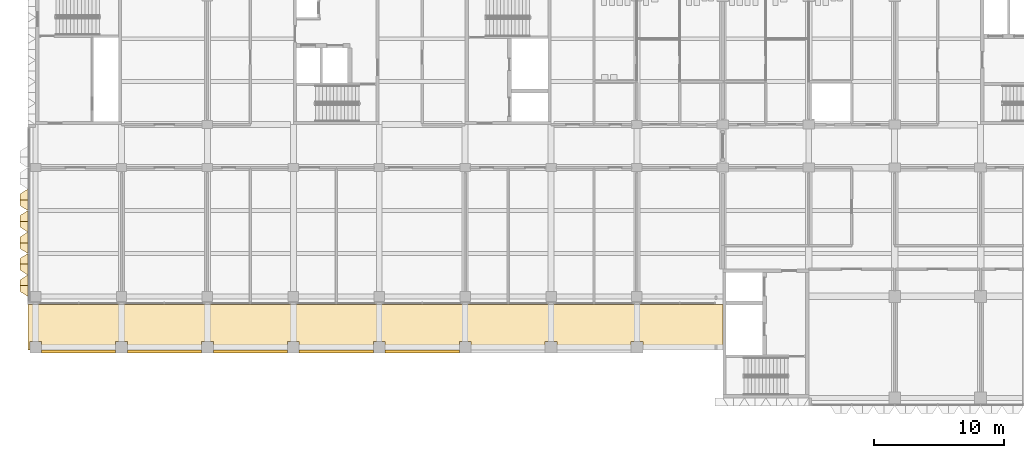
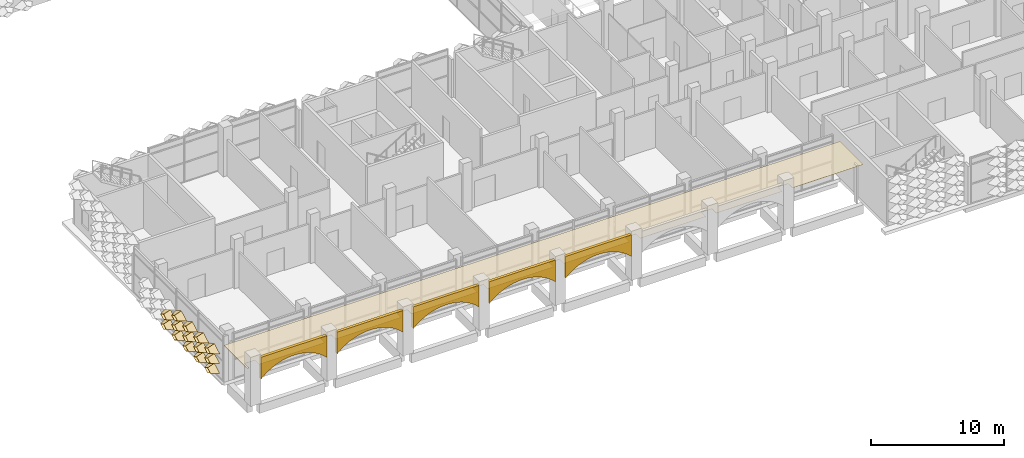
# One storey, part 42 of 87: 20 coverings.
"""IFC4 building model written with IfcOpenShell, lengths in metres."""

from ifc_helpers import new_model, entity, si_unit, direction, frame, origin, place, context, subcontext, project, spatial, polyline, outline, extrude, material, layer, layer_set, type_object, element, save


model = new_model("IFC4")

# Units and contexts
model_context = context("Model", 3, precision=1e-05, world=origin(), true_north=direction((0.0, 1.0)))
body_context = subcontext(model_context, "Body", "Model", "MODEL_VIEW")
ifc_project = project(units=[si_unit("LENGTHUNIT", "METRE"), si_unit("AREAUNIT", "SQUARE_METRE"), si_unit("VOLUMEUNIT", "CUBIC_METRE"), si_unit("PLANEANGLEUNIT", "RADIAN"), si_unit("MASSUNIT", "GRAM", prefix="KILO")], contexts=[model_context])

# Site, building, storey
site_placement = place(None, origin())
site = spatial("IfcSite", under=ifc_project, at=site_placement, CompositionType="ELEMENT")
building_placement = place(site_placement, origin())
building = spatial("IfcBuilding", under=site, at=building_placement, Name="Lantern Court Research Institute", CompositionType="ELEMENT")
storey_placement = place(building_placement, frame((0.0, 0.0, 5.39990234375)))
storey = spatial("IfcBuildingStorey", under=building, at=storey_placement, Name="L01", CompositionType="ELEMENT", Elevation=5.39990234375)

# Coverings
ifc_material_1 = material(Name="Anodised aluminium", Category="aluminium")
ifc_layer_1 = layer(ifc_material_1, 0.02001953125)
ifc_layer_set_1 = layer_set([ifc_layer_1], Name="Anodised aluminium")
covering_type_1 = type_object("IfcCoveringType", Name="Arcade ceiling lining 20 aluminium", PredefinedType="CLADDING", material=ifc_layer_set_1)
covering_1_placement = place(storey_placement, frame((0.0, 0.0, 3.380126953125)))
element("IfcCovering", 1, at=covering_1_placement, inside=storey, type_object=covering_type_1, Name="Arcade ceiling lining 1", PredefinedType="CLADDING", context=body_context, shape_type="SweptSolid", body=[
    extrude(outline(polyline([(25.949951171875, -4.10009765625), (25.949951171875, -3.449951171875), (26.85009765625, -3.449951171875), (26.85009765625, -4.10009765625), (32.550048828125, -4.10009765625), (32.550048828125, -3.449951171875), (33.449951171875, -3.449951171875), (33.449951171875, -4.10009765625), (39.14990234375, -4.10009765625), (39.14990234375, -3.449951171875), (40.050048828125, -3.449951171875), (40.050048828125, -4.10009765625), (45.75, -4.10009765625), (45.75, -3.449951171875), (46.64990234375, -3.449951171875), (46.64990234375, -4.10009765625), (52.800048828125, -4.10009765625), (52.800048828125, -0.60009765625), (-0.60009765625, -0.60009765625), (-0.60009765625, -4.10009765625), (-0.449951171875, -4.10009765625), (-0.449951171875, -3.449951171875), (0.449951171875, -3.449951171875), (0.449951171875, -4.10009765625), (6.14990234375, -4.10009765625), (6.14990234375, -3.449951171875), (7.050048828125, -3.449951171875), (7.050048828125, -4.10009765625), (12.75, -4.10009765625), (12.75, -3.449951171875), (13.64990234375, -3.449951171875), (13.64990234375, -4.10009765625), (19.35009765625, -4.10009765625), (19.35009765625, -3.449951171875), (20.25, -3.449951171875), (20.25, -4.10009765625), (25.949951171875, -4.10009765625)])), origin(), (0.0, 0.0, 1.0), 0.02001953125),
])
ifc_material_2 = material(Name="Glass fibre reinforced concrete cladding", Category="concrete")
ifc_layer_2 = layer(ifc_material_2, 0.25)
ifc_layer_set_2 = layer_set([ifc_layer_2], Name="Glass fibre reinforced concrete cladding")
covering_type_2 = type_object("IfcCoveringType", Name="Arcade frieze panel 250 glass fibre reinforced concrete", PredefinedType="CLADDING", material=ifc_layer_set_2)
covering_2_placement = place(storey_placement, frame((0.0, -4.10009765625, -5.39990234375), z_axis=(0.0, -1.0, 0.0), x_axis=(1.0, 0.0, 0.0)))
element("IfcCovering", 2, at=covering_2_placement, inside=storey, type_object=covering_type_2, Name="Arcade arched frieze panel 8", PredefinedType="CLADDING", context=body_context, shape_type="SweptSolid", body=[
    extrude(outline(polyline([(0.449951171875, 9.60009765625), (0.449951171875, 7.60009765625), (0.6875, 7.823974609375), (0.925048828125, 8.014892578125), (1.16259765625, 8.17822265625), (1.39990234375, 8.31787109375), (1.637451171875, 8.4365234375), (1.875, 8.536376953125), (2.112548828125, 8.618896484375), (2.35009765625, 8.68505859375), (2.58740234375, 8.73583984375), (2.824951171875, 8.771484375), (3.0625, 8.79296875), (3.300048828125, 8.800048828125), (3.53759765625, 8.79296875), (3.77490234375, 8.771484375), (4.012451171875, 8.73583984375), (4.25, 8.68505859375), (4.487548828125, 8.618896484375), (4.72509765625, 8.536376953125), (4.96240234375, 8.4365234375), (5.199951171875, 8.31787109375), (5.4375, 8.17822265625), (5.675048828125, 8.014892578125), (5.91259765625, 7.823974609375), (6.14990234375, 7.60009765625), (6.14990234375, 9.60009765625), (0.449951171875, 9.60009765625)])), origin(), (0.0, 0.0, 1.0), 0.25),
])
covering_3_placement = place(storey_placement, frame((0.0, -4.10009765625, -5.39990234375), z_axis=(0.0, -1.0, 0.0), x_axis=(1.0, 0.0, 0.0)))
element("IfcCovering", 3, at=covering_3_placement, inside=storey, type_object=covering_type_2, Name="Arcade arched frieze panel 9", PredefinedType="CLADDING", context=body_context, shape_type="SweptSolid", body=[
    extrude(outline(polyline([(7.050048828125, 9.60009765625), (7.050048828125, 7.60009765625), (7.28759765625, 7.823974609375), (7.52490234375, 8.014892578125), (7.762451171875, 8.17822265625), (8.0, 8.31787109375), (8.237548828125, 8.4365234375), (8.47509765625, 8.536376953125), (8.71240234375, 8.618896484375), (8.949951171875, 8.68505859375), (9.1875, 8.73583984375), (9.425048828125, 8.771484375), (9.66259765625, 8.79296875), (9.89990234375, 8.800048828125), (10.137451171875, 8.79296875), (10.375, 8.771484375), (10.612548828125, 8.73583984375), (10.85009765625, 8.68505859375), (11.08740234375, 8.618896484375), (11.324951171875, 8.536376953125), (11.5625, 8.4365234375), (11.800048828125, 8.31787109375), (12.03759765625, 8.17822265625), (12.27490234375, 8.014892578125), (12.512451171875, 7.823974609375), (12.75, 7.60009765625), (12.75, 9.60009765625), (7.050048828125, 9.60009765625)])), origin(), (0.0, 0.0, 1.0), 0.25),
])
covering_4_placement = place(storey_placement, frame((0.0, -4.10009765625, -5.39990234375), z_axis=(0.0, -1.0, 0.0), x_axis=(1.0, 0.0, 0.0)))
element("IfcCovering", 4, at=covering_4_placement, inside=storey, type_object=covering_type_2, Name="Arcade arched frieze panel 10", PredefinedType="CLADDING", context=body_context, shape_type="SweptSolid", body=[
    extrude(outline(polyline([(13.64990234375, 9.60009765625), (13.64990234375, 7.60009765625), (13.887451171875, 7.823974609375), (14.125, 8.014892578125), (14.362548828125, 8.17822265625), (14.60009765625, 8.31787109375), (14.83740234375, 8.4365234375), (15.074951171875, 8.536376953125), (15.3125, 8.618896484375), (15.550048828125, 8.68505859375), (15.78759765625, 8.73583984375), (16.02490234375, 8.771484375), (16.262451171875, 8.79296875), (16.5, 8.800048828125), (16.737548828125, 8.79296875), (16.97509765625, 8.771484375), (17.21240234375, 8.73583984375), (17.449951171875, 8.68505859375), (17.6875, 8.618896484375), (17.925048828125, 8.536376953125), (18.16259765625, 8.4365234375), (18.39990234375, 8.31787109375), (18.637451171875, 8.17822265625), (18.875, 8.014892578125), (19.112548828125, 7.823974609375), (19.35009765625, 7.60009765625), (19.35009765625, 9.60009765625), (13.64990234375, 9.60009765625)])), origin(), (0.0, 0.0, 1.0), 0.25),
])
covering_5_placement = place(storey_placement, frame((0.0, -4.10009765625, -5.39990234375), z_axis=(0.0, -1.0, 0.0), x_axis=(1.0, 0.0, 0.0)))
element("IfcCovering", 5, at=covering_5_placement, inside=storey, type_object=covering_type_2, Name="Arcade arched frieze panel 11", PredefinedType="CLADDING", context=body_context, shape_type="SweptSolid", body=[
    extrude(outline(polyline([(20.25, 9.60009765625), (20.25, 7.60009765625), (20.487548828125, 7.823974609375), (20.72509765625, 8.014892578125), (20.96240234375, 8.17822265625), (21.199951171875, 8.31787109375), (21.4375, 8.4365234375), (21.675048828125, 8.536376953125), (21.91259765625, 8.618896484375), (22.14990234375, 8.68505859375), (22.387451171875, 8.73583984375), (22.625, 8.771484375), (22.862548828125, 8.79296875), (23.10009765625, 8.800048828125), (23.33740234375, 8.79296875), (23.574951171875, 8.771484375), (23.8125, 8.73583984375), (24.050048828125, 8.68505859375), (24.28759765625, 8.618896484375), (24.52490234375, 8.536376953125), (24.762451171875, 8.4365234375), (25.0, 8.31787109375), (25.237548828125, 8.17822265625), (25.47509765625, 8.014892578125), (25.71240234375, 7.823974609375), (25.949951171875, 7.60009765625), (25.949951171875, 9.60009765625), (20.25, 9.60009765625)])), origin(), (0.0, 0.0, 1.0), 0.25),
])
covering_6_placement = place(storey_placement, frame((0.0, -4.10009765625, -5.39990234375), z_axis=(0.0, -1.0, 0.0), x_axis=(1.0, 0.0, 0.0)))
element("IfcCovering", 6, at=covering_6_placement, inside=storey, type_object=covering_type_2, Name="Arcade arched frieze panel 12", PredefinedType="CLADDING", context=body_context, shape_type="SweptSolid", body=[
    extrude(outline(polyline([(26.85009765625, 9.60009765625), (26.85009765625, 7.60009765625), (27.08740234375, 7.823974609375), (27.324951171875, 8.014892578125), (27.5625, 8.17822265625), (27.800048828125, 8.31787109375), (28.03759765625, 8.4365234375), (28.27490234375, 8.536376953125), (28.512451171875, 8.618896484375), (28.75, 8.68505859375), (28.987548828125, 8.73583984375), (29.22509765625, 8.771484375), (29.46240234375, 8.79296875), (29.699951171875, 8.800048828125), (29.9375, 8.79296875), (30.175048828125, 8.771484375), (30.41259765625, 8.73583984375), (30.64990234375, 8.68505859375), (30.887451171875, 8.618896484375), (31.125, 8.536376953125), (31.362548828125, 8.4365234375), (31.60009765625, 8.31787109375), (31.83740234375, 8.17822265625), (32.074951171875, 8.014892578125), (32.3125, 7.823974609375), (32.550048828125, 7.60009765625), (32.550048828125, 9.60009765625), (26.85009765625, 9.60009765625)])), origin(), (0.0, 0.0, 1.0), 0.25),
])
ifc_material_3 = material(Name="Anodised aluminium", Category="aluminium")
ifc_layer_3 = layer(ifc_material_3, 0.01611328125)
ifc_layer_set_3 = layer_set([ifc_layer_3], Name="Anodised aluminium")
covering_type_3 = type_object("IfcCoveringType", Name="Fin cassette 1650 x 900 x 600 aluminium", PredefinedType="CLADDING", material=ifc_layer_set_3)
covering_7_placement = place(storey_placement, frame((-0.60009765625, 0.824951171875, 0.4501953125), z_axis=(-1.0, 0.0, 0.0), x_axis=(0.0, -1.0, 0.0)))
cartesian_point_1 = entity("IfcCartesianPoint", [0.824951171875, 0.0])
cartesian_point_2 = entity("IfcCartesianPoint", [0.79150390625, 0.0])
cartesian_point_3 = entity("IfcCartesianPoint", [0.44189453125, 0.0])
cartesian_point_4 = entity("IfcCartesianPoint", [0.43359375, 0.0])
element("IfcCovering", 7, at=covering_7_placement, inside=storey, type_object=covering_type_3, Name="Fin cassette V4W-L01 1.1", PredefinedType="CLADDING", context=body_context, shape_type="SweptSolid", body=[
    entity("IfcExtrudedAreaSolidTapered", entity("IfcArbitraryProfileDefWithVoids", "AREA", None, entity("IfcPolyline", [cartesian_point_1, entity("IfcCartesianPoint", [0.0, 0.449951171875]), entity("IfcCartesianPoint", [-0.824951171875, 0.0]), entity("IfcCartesianPoint", [0.0, -0.449951171875]), cartesian_point_1]), [entity("IfcPolyline", [cartesian_point_2, entity("IfcCartesianPoint", [0.0, 0.431884765625]), entity("IfcCartesianPoint", [-0.79150390625, 0.0]), entity("IfcCartesianPoint", [0.0, -0.431884765625]), cartesian_point_2])]), entity("IfcAxis2Placement3D", entity("IfcCartesianPoint", [0.0, 0.0, 0.0])), entity("IfcDirection", [0.0, 0.0, 1.0]), 0.60009765625, entity("IfcArbitraryProfileDefWithVoids", "AREA", None, entity("IfcPolyline", [cartesian_point_3, entity("IfcCartesianPoint", [0.0, 0.240966796875]), entity("IfcCartesianPoint", [-0.44189453125, 0.0]), entity("IfcCartesianPoint", [0.0, -0.240966796875]), cartesian_point_3]), [entity("IfcPolyline", [cartesian_point_4, entity("IfcCartesianPoint", [0.0, 0.236572265625]), entity("IfcCartesianPoint", [-0.43359375, 0.0]), entity("IfcCartesianPoint", [0.0, -0.236572265625]), cartesian_point_4])])),
])
covering_8_placement = place(storey_placement, frame((-0.60009765625, 2.47509765625, 0.4501953125), z_axis=(-1.0, 0.0, 0.0), x_axis=(0.0, -1.0, 0.0)))
cartesian_point_5 = entity("IfcCartesianPoint", [0.824951171875, 0.0])
cartesian_point_6 = entity("IfcCartesianPoint", [0.79150390625, 0.0])
cartesian_point_7 = entity("IfcCartesianPoint", [0.44189453125, 0.0])
cartesian_point_8 = entity("IfcCartesianPoint", [0.43359375, 0.0])
element("IfcCovering", 8, at=covering_8_placement, inside=storey, type_object=covering_type_3, Name="Fin cassette V4W-L01 1.2", PredefinedType="CLADDING", context=body_context, shape_type="SweptSolid", body=[
    entity("IfcExtrudedAreaSolidTapered", entity("IfcArbitraryProfileDefWithVoids", "AREA", None, entity("IfcPolyline", [cartesian_point_5, entity("IfcCartesianPoint", [0.0, 0.449951171875]), entity("IfcCartesianPoint", [-0.824951171875, 0.0]), entity("IfcCartesianPoint", [0.0, -0.449951171875]), cartesian_point_5]), [entity("IfcPolyline", [cartesian_point_6, entity("IfcCartesianPoint", [0.0, 0.431884765625]), entity("IfcCartesianPoint", [-0.79150390625, 0.0]), entity("IfcCartesianPoint", [0.0, -0.431884765625]), cartesian_point_6])]), entity("IfcAxis2Placement3D", entity("IfcCartesianPoint", [0.0, 0.0, 0.0])), entity("IfcDirection", [0.0, 0.0, 1.0]), 0.60009765625, entity("IfcArbitraryProfileDefWithVoids", "AREA", None, entity("IfcPolyline", [cartesian_point_7, entity("IfcCartesianPoint", [0.0, 0.240966796875]), entity("IfcCartesianPoint", [-0.44189453125, 0.0]), entity("IfcCartesianPoint", [0.0, -0.240966796875]), cartesian_point_7]), [entity("IfcPolyline", [cartesian_point_8, entity("IfcCartesianPoint", [0.0, 0.236572265625]), entity("IfcCartesianPoint", [-0.43359375, 0.0]), entity("IfcCartesianPoint", [0.0, -0.236572265625]), cartesian_point_8])])),
])
covering_9_placement = place(storey_placement, frame((-0.60009765625, 4.125, 0.4501953125), z_axis=(-1.0, 0.0, 0.0), x_axis=(0.0, -1.0, 0.0)))
cartesian_point_9 = entity("IfcCartesianPoint", [0.824951171875, 0.0])
cartesian_point_10 = entity("IfcCartesianPoint", [0.79150390625, 0.0])
cartesian_point_11 = entity("IfcCartesianPoint", [0.44189453125, 0.0])
cartesian_point_12 = entity("IfcCartesianPoint", [0.43359375, 0.0])
element("IfcCovering", 9, at=covering_9_placement, inside=storey, type_object=covering_type_3, Name="Fin cassette V4W-L01 1.3", PredefinedType="CLADDING", context=body_context, shape_type="SweptSolid", body=[
    entity("IfcExtrudedAreaSolidTapered", entity("IfcArbitraryProfileDefWithVoids", "AREA", None, entity("IfcPolyline", [cartesian_point_9, entity("IfcCartesianPoint", [0.0, 0.449951171875]), entity("IfcCartesianPoint", [-0.824951171875, 0.0]), entity("IfcCartesianPoint", [0.0, -0.449951171875]), cartesian_point_9]), [entity("IfcPolyline", [cartesian_point_10, entity("IfcCartesianPoint", [0.0, 0.431884765625]), entity("IfcCartesianPoint", [-0.79150390625, 0.0]), entity("IfcCartesianPoint", [0.0, -0.431884765625]), cartesian_point_10])]), entity("IfcAxis2Placement3D", entity("IfcCartesianPoint", [0.0, 0.0, 0.0])), entity("IfcDirection", [0.0, 0.0, 1.0]), 0.60009765625, entity("IfcArbitraryProfileDefWithVoids", "AREA", None, entity("IfcPolyline", [cartesian_point_11, entity("IfcCartesianPoint", [0.0, 0.240966796875]), entity("IfcCartesianPoint", [-0.44189453125, 0.0]), entity("IfcCartesianPoint", [0.0, -0.240966796875]), cartesian_point_11]), [entity("IfcPolyline", [cartesian_point_12, entity("IfcCartesianPoint", [0.0, 0.236572265625]), entity("IfcCartesianPoint", [-0.43359375, 0.0]), entity("IfcCartesianPoint", [0.0, -0.236572265625]), cartesian_point_12])])),
])
covering_10_placement = place(storey_placement, frame((-0.60009765625, 5.77490234375, 0.4501953125), z_axis=(-1.0, 0.0, 0.0), x_axis=(0.0, -1.0, 0.0)))
cartesian_point_13 = entity("IfcCartesianPoint", [0.824951171875, 0.0])
cartesian_point_14 = entity("IfcCartesianPoint", [0.79150390625, 0.0])
cartesian_point_15 = entity("IfcCartesianPoint", [0.44189453125, 0.0])
cartesian_point_16 = entity("IfcCartesianPoint", [0.43359375, 0.0])
element("IfcCovering", 10, at=covering_10_placement, inside=storey, type_object=covering_type_3, Name="Fin cassette V4W-L01 1.4", PredefinedType="CLADDING", context=body_context, shape_type="SweptSolid", body=[
    entity("IfcExtrudedAreaSolidTapered", entity("IfcArbitraryProfileDefWithVoids", "AREA", None, entity("IfcPolyline", [cartesian_point_13, entity("IfcCartesianPoint", [0.0, 0.449951171875]), entity("IfcCartesianPoint", [-0.824951171875, 0.0]), entity("IfcCartesianPoint", [0.0, -0.449951171875]), cartesian_point_13]), [entity("IfcPolyline", [cartesian_point_14, entity("IfcCartesianPoint", [0.0, 0.431884765625]), entity("IfcCartesianPoint", [-0.79150390625, 0.0]), entity("IfcCartesianPoint", [0.0, -0.431884765625]), cartesian_point_14])]), entity("IfcAxis2Placement3D", entity("IfcCartesianPoint", [0.0, 0.0, 0.0])), entity("IfcDirection", [0.0, 0.0, 1.0]), 0.60009765625, entity("IfcArbitraryProfileDefWithVoids", "AREA", None, entity("IfcPolyline", [cartesian_point_15, entity("IfcCartesianPoint", [0.0, 0.240966796875]), entity("IfcCartesianPoint", [-0.44189453125, 0.0]), entity("IfcCartesianPoint", [0.0, -0.240966796875]), cartesian_point_15]), [entity("IfcPolyline", [cartesian_point_16, entity("IfcCartesianPoint", [0.0, 0.236572265625]), entity("IfcCartesianPoint", [-0.43359375, 0.0]), entity("IfcCartesianPoint", [0.0, -0.236572265625]), cartesian_point_16])])),
])
covering_11_placement = place(storey_placement, frame((-0.60009765625, 7.425048828125, 0.4501953125), z_axis=(-1.0, 0.0, 0.0), x_axis=(0.0, -1.0, 0.0)))
cartesian_point_17 = entity("IfcCartesianPoint", [0.824951171875, 0.0])
cartesian_point_18 = entity("IfcCartesianPoint", [0.79150390625, 0.0])
cartesian_point_19 = entity("IfcCartesianPoint", [0.44189453125, 0.0])
cartesian_point_20 = entity("IfcCartesianPoint", [0.43359375, 0.0])
element("IfcCovering", 11, at=covering_11_placement, inside=storey, type_object=covering_type_3, Name="Fin cassette V4W-L01 1.5", PredefinedType="CLADDING", context=body_context, shape_type="SweptSolid", body=[
    entity("IfcExtrudedAreaSolidTapered", entity("IfcArbitraryProfileDefWithVoids", "AREA", None, entity("IfcPolyline", [cartesian_point_17, entity("IfcCartesianPoint", [0.0, 0.449951171875]), entity("IfcCartesianPoint", [-0.824951171875, 0.0]), entity("IfcCartesianPoint", [0.0, -0.449951171875]), cartesian_point_17]), [entity("IfcPolyline", [cartesian_point_18, entity("IfcCartesianPoint", [0.0, 0.431884765625]), entity("IfcCartesianPoint", [-0.79150390625, 0.0]), entity("IfcCartesianPoint", [0.0, -0.431884765625]), cartesian_point_18])]), entity("IfcAxis2Placement3D", entity("IfcCartesianPoint", [0.0, 0.0, 0.0])), entity("IfcDirection", [0.0, 0.0, 1.0]), 0.60009765625, entity("IfcArbitraryProfileDefWithVoids", "AREA", None, entity("IfcPolyline", [cartesian_point_19, entity("IfcCartesianPoint", [0.0, 0.240966796875]), entity("IfcCartesianPoint", [-0.44189453125, 0.0]), entity("IfcCartesianPoint", [0.0, -0.240966796875]), cartesian_point_19]), [entity("IfcPolyline", [cartesian_point_20, entity("IfcCartesianPoint", [0.0, 0.236572265625]), entity("IfcCartesianPoint", [-0.43359375, 0.0]), entity("IfcCartesianPoint", [0.0, -0.236572265625]), cartesian_point_20])])),
])
covering_12_placement = place(storey_placement, frame((-0.60009765625, 0.824951171875, 1.35009765625), z_axis=(-1.0, 0.0, 0.0), x_axis=(0.0, -1.0, 0.0)))
cartesian_point_21 = entity("IfcCartesianPoint", [0.824951171875, 0.0])
cartesian_point_22 = entity("IfcCartesianPoint", [0.79150390625, 0.0])
cartesian_point_23 = entity("IfcCartesianPoint", [0.44189453125, 0.0])
cartesian_point_24 = entity("IfcCartesianPoint", [0.43359375, 0.0])
element("IfcCovering", 12, at=covering_12_placement, inside=storey, type_object=covering_type_3, Name="Fin cassette V4W-L01 2.1", PredefinedType="CLADDING", context=body_context, shape_type="SweptSolid", body=[
    entity("IfcExtrudedAreaSolidTapered", entity("IfcArbitraryProfileDefWithVoids", "AREA", None, entity("IfcPolyline", [cartesian_point_21, entity("IfcCartesianPoint", [0.0, 0.449951171875]), entity("IfcCartesianPoint", [-0.824951171875, 0.0]), entity("IfcCartesianPoint", [0.0, -0.449951171875]), cartesian_point_21]), [entity("IfcPolyline", [cartesian_point_22, entity("IfcCartesianPoint", [0.0, 0.431884765625]), entity("IfcCartesianPoint", [-0.79150390625, 0.0]), entity("IfcCartesianPoint", [0.0, -0.431884765625]), cartesian_point_22])]), entity("IfcAxis2Placement3D", entity("IfcCartesianPoint", [0.0, 0.0, 0.0])), entity("IfcDirection", [0.0, 0.0, 1.0]), 0.60009765625, entity("IfcArbitraryProfileDefWithVoids", "AREA", None, entity("IfcPolyline", [cartesian_point_23, entity("IfcCartesianPoint", [0.0, 0.240966796875]), entity("IfcCartesianPoint", [-0.44189453125, 0.0]), entity("IfcCartesianPoint", [0.0, -0.240966796875]), cartesian_point_23]), [entity("IfcPolyline", [cartesian_point_24, entity("IfcCartesianPoint", [0.0, 0.236572265625]), entity("IfcCartesianPoint", [-0.43359375, 0.0]), entity("IfcCartesianPoint", [0.0, -0.236572265625]), cartesian_point_24])])),
])
covering_13_placement = place(storey_placement, frame((-0.60009765625, 2.47509765625, 1.35009765625), z_axis=(-1.0, 0.0, 0.0), x_axis=(0.0, -1.0, 0.0)))
cartesian_point_25 = entity("IfcCartesianPoint", [0.824951171875, 0.0])
cartesian_point_26 = entity("IfcCartesianPoint", [0.79150390625, 0.0])
cartesian_point_27 = entity("IfcCartesianPoint", [0.44189453125, 0.0])
cartesian_point_28 = entity("IfcCartesianPoint", [0.43359375, 0.0])
element("IfcCovering", 13, at=covering_13_placement, inside=storey, type_object=covering_type_3, Name="Fin cassette V4W-L01 2.2", PredefinedType="CLADDING", context=body_context, shape_type="SweptSolid", body=[
    entity("IfcExtrudedAreaSolidTapered", entity("IfcArbitraryProfileDefWithVoids", "AREA", None, entity("IfcPolyline", [cartesian_point_25, entity("IfcCartesianPoint", [0.0, 0.449951171875]), entity("IfcCartesianPoint", [-0.824951171875, 0.0]), entity("IfcCartesianPoint", [0.0, -0.449951171875]), cartesian_point_25]), [entity("IfcPolyline", [cartesian_point_26, entity("IfcCartesianPoint", [0.0, 0.431884765625]), entity("IfcCartesianPoint", [-0.79150390625, 0.0]), entity("IfcCartesianPoint", [0.0, -0.431884765625]), cartesian_point_26])]), entity("IfcAxis2Placement3D", entity("IfcCartesianPoint", [0.0, 0.0, 0.0])), entity("IfcDirection", [0.0, 0.0, 1.0]), 0.60009765625, entity("IfcArbitraryProfileDefWithVoids", "AREA", None, entity("IfcPolyline", [cartesian_point_27, entity("IfcCartesianPoint", [0.0, 0.240966796875]), entity("IfcCartesianPoint", [-0.44189453125, 0.0]), entity("IfcCartesianPoint", [0.0, -0.240966796875]), cartesian_point_27]), [entity("IfcPolyline", [cartesian_point_28, entity("IfcCartesianPoint", [0.0, 0.236572265625]), entity("IfcCartesianPoint", [-0.43359375, 0.0]), entity("IfcCartesianPoint", [0.0, -0.236572265625]), cartesian_point_28])])),
])
covering_14_placement = place(storey_placement, frame((-0.60009765625, 4.125, 1.35009765625), z_axis=(-1.0, 0.0, 0.0), x_axis=(0.0, -1.0, 0.0)))
cartesian_point_29 = entity("IfcCartesianPoint", [0.824951171875, 0.0])
cartesian_point_30 = entity("IfcCartesianPoint", [0.79150390625, 0.0])
cartesian_point_31 = entity("IfcCartesianPoint", [0.44189453125, 0.0])
cartesian_point_32 = entity("IfcCartesianPoint", [0.43359375, 0.0])
element("IfcCovering", 14, at=covering_14_placement, inside=storey, type_object=covering_type_3, Name="Fin cassette V4W-L01 2.3", PredefinedType="CLADDING", context=body_context, shape_type="SweptSolid", body=[
    entity("IfcExtrudedAreaSolidTapered", entity("IfcArbitraryProfileDefWithVoids", "AREA", None, entity("IfcPolyline", [cartesian_point_29, entity("IfcCartesianPoint", [0.0, 0.449951171875]), entity("IfcCartesianPoint", [-0.824951171875, 0.0]), entity("IfcCartesianPoint", [0.0, -0.449951171875]), cartesian_point_29]), [entity("IfcPolyline", [cartesian_point_30, entity("IfcCartesianPoint", [0.0, 0.431884765625]), entity("IfcCartesianPoint", [-0.79150390625, 0.0]), entity("IfcCartesianPoint", [0.0, -0.431884765625]), cartesian_point_30])]), entity("IfcAxis2Placement3D", entity("IfcCartesianPoint", [0.0, 0.0, 0.0])), entity("IfcDirection", [0.0, 0.0, 1.0]), 0.60009765625, entity("IfcArbitraryProfileDefWithVoids", "AREA", None, entity("IfcPolyline", [cartesian_point_31, entity("IfcCartesianPoint", [0.0, 0.240966796875]), entity("IfcCartesianPoint", [-0.44189453125, 0.0]), entity("IfcCartesianPoint", [0.0, -0.240966796875]), cartesian_point_31]), [entity("IfcPolyline", [cartesian_point_32, entity("IfcCartesianPoint", [0.0, 0.236572265625]), entity("IfcCartesianPoint", [-0.43359375, 0.0]), entity("IfcCartesianPoint", [0.0, -0.236572265625]), cartesian_point_32])])),
])
covering_15_placement = place(storey_placement, frame((-0.60009765625, 5.77490234375, 1.35009765625), z_axis=(-1.0, 0.0, 0.0), x_axis=(0.0, -1.0, 0.0)))
cartesian_point_33 = entity("IfcCartesianPoint", [0.824951171875, 0.0])
cartesian_point_34 = entity("IfcCartesianPoint", [0.79150390625, 0.0])
cartesian_point_35 = entity("IfcCartesianPoint", [0.44189453125, 0.0])
cartesian_point_36 = entity("IfcCartesianPoint", [0.43359375, 0.0])
element("IfcCovering", 15, at=covering_15_placement, inside=storey, type_object=covering_type_3, Name="Fin cassette V4W-L01 2.4", PredefinedType="CLADDING", context=body_context, shape_type="SweptSolid", body=[
    entity("IfcExtrudedAreaSolidTapered", entity("IfcArbitraryProfileDefWithVoids", "AREA", None, entity("IfcPolyline", [cartesian_point_33, entity("IfcCartesianPoint", [0.0, 0.449951171875]), entity("IfcCartesianPoint", [-0.824951171875, 0.0]), entity("IfcCartesianPoint", [0.0, -0.449951171875]), cartesian_point_33]), [entity("IfcPolyline", [cartesian_point_34, entity("IfcCartesianPoint", [0.0, 0.431884765625]), entity("IfcCartesianPoint", [-0.79150390625, 0.0]), entity("IfcCartesianPoint", [0.0, -0.431884765625]), cartesian_point_34])]), entity("IfcAxis2Placement3D", entity("IfcCartesianPoint", [0.0, 0.0, 0.0])), entity("IfcDirection", [0.0, 0.0, 1.0]), 0.60009765625, entity("IfcArbitraryProfileDefWithVoids", "AREA", None, entity("IfcPolyline", [cartesian_point_35, entity("IfcCartesianPoint", [0.0, 0.240966796875]), entity("IfcCartesianPoint", [-0.44189453125, 0.0]), entity("IfcCartesianPoint", [0.0, -0.240966796875]), cartesian_point_35]), [entity("IfcPolyline", [cartesian_point_36, entity("IfcCartesianPoint", [0.0, 0.236572265625]), entity("IfcCartesianPoint", [-0.43359375, 0.0]), entity("IfcCartesianPoint", [0.0, -0.236572265625]), cartesian_point_36])])),
])
covering_16_placement = place(storey_placement, frame((-0.60009765625, 7.425048828125, 1.35009765625), z_axis=(-1.0, 0.0, 0.0), x_axis=(0.0, -1.0, 0.0)))
cartesian_point_37 = entity("IfcCartesianPoint", [0.824951171875, 0.0])
cartesian_point_38 = entity("IfcCartesianPoint", [0.79150390625, 0.0])
cartesian_point_39 = entity("IfcCartesianPoint", [0.44189453125, 0.0])
cartesian_point_40 = entity("IfcCartesianPoint", [0.43359375, 0.0])
element("IfcCovering", 16, at=covering_16_placement, inside=storey, type_object=covering_type_3, Name="Fin cassette V4W-L01 2.5", PredefinedType="CLADDING", context=body_context, shape_type="SweptSolid", body=[
    entity("IfcExtrudedAreaSolidTapered", entity("IfcArbitraryProfileDefWithVoids", "AREA", None, entity("IfcPolyline", [cartesian_point_37, entity("IfcCartesianPoint", [0.0, 0.449951171875]), entity("IfcCartesianPoint", [-0.824951171875, 0.0]), entity("IfcCartesianPoint", [0.0, -0.449951171875]), cartesian_point_37]), [entity("IfcPolyline", [cartesian_point_38, entity("IfcCartesianPoint", [0.0, 0.431884765625]), entity("IfcCartesianPoint", [-0.79150390625, 0.0]), entity("IfcCartesianPoint", [0.0, -0.431884765625]), cartesian_point_38])]), entity("IfcAxis2Placement3D", entity("IfcCartesianPoint", [0.0, 0.0, 0.0])), entity("IfcDirection", [0.0, 0.0, 1.0]), 0.60009765625, entity("IfcArbitraryProfileDefWithVoids", "AREA", None, entity("IfcPolyline", [cartesian_point_39, entity("IfcCartesianPoint", [0.0, 0.240966796875]), entity("IfcCartesianPoint", [-0.44189453125, 0.0]), entity("IfcCartesianPoint", [0.0, -0.240966796875]), cartesian_point_39]), [entity("IfcPolyline", [cartesian_point_40, entity("IfcCartesianPoint", [0.0, 0.236572265625]), entity("IfcCartesianPoint", [-0.43359375, 0.0]), entity("IfcCartesianPoint", [0.0, -0.236572265625]), cartesian_point_40])])),
])
covering_17_placement = place(storey_placement, frame((-0.60009765625, 0.824951171875, 2.25), z_axis=(-1.0, 0.0, 0.0), x_axis=(0.0, -1.0, 0.0)))
cartesian_point_41 = entity("IfcCartesianPoint", [0.824951171875, 0.0])
cartesian_point_42 = entity("IfcCartesianPoint", [0.79150390625, 0.0])
cartesian_point_43 = entity("IfcCartesianPoint", [0.44189453125, 0.0])
cartesian_point_44 = entity("IfcCartesianPoint", [0.43359375, 0.0])
element("IfcCovering", 17, at=covering_17_placement, inside=storey, type_object=covering_type_3, Name="Fin cassette V4W-L01 3.1", PredefinedType="CLADDING", context=body_context, shape_type="SweptSolid", body=[
    entity("IfcExtrudedAreaSolidTapered", entity("IfcArbitraryProfileDefWithVoids", "AREA", None, entity("IfcPolyline", [cartesian_point_41, entity("IfcCartesianPoint", [0.0, 0.449951171875]), entity("IfcCartesianPoint", [-0.824951171875, 0.0]), entity("IfcCartesianPoint", [0.0, -0.449951171875]), cartesian_point_41]), [entity("IfcPolyline", [cartesian_point_42, entity("IfcCartesianPoint", [0.0, 0.431884765625]), entity("IfcCartesianPoint", [-0.79150390625, 0.0]), entity("IfcCartesianPoint", [0.0, -0.431884765625]), cartesian_point_42])]), entity("IfcAxis2Placement3D", entity("IfcCartesianPoint", [0.0, 0.0, 0.0])), entity("IfcDirection", [0.0, 0.0, 1.0]), 0.60009765625, entity("IfcArbitraryProfileDefWithVoids", "AREA", None, entity("IfcPolyline", [cartesian_point_43, entity("IfcCartesianPoint", [0.0, 0.240966796875]), entity("IfcCartesianPoint", [-0.44189453125, 0.0]), entity("IfcCartesianPoint", [0.0, -0.240966796875]), cartesian_point_43]), [entity("IfcPolyline", [cartesian_point_44, entity("IfcCartesianPoint", [0.0, 0.236572265625]), entity("IfcCartesianPoint", [-0.43359375, 0.0]), entity("IfcCartesianPoint", [0.0, -0.236572265625]), cartesian_point_44])])),
])
covering_18_placement = place(storey_placement, frame((-0.60009765625, 2.47509765625, 2.25), z_axis=(-1.0, 0.0, 0.0), x_axis=(0.0, -1.0, 0.0)))
cartesian_point_45 = entity("IfcCartesianPoint", [0.824951171875, 0.0])
cartesian_point_46 = entity("IfcCartesianPoint", [0.79150390625, 0.0])
cartesian_point_47 = entity("IfcCartesianPoint", [0.44189453125, 0.0])
cartesian_point_48 = entity("IfcCartesianPoint", [0.43359375, 0.0])
element("IfcCovering", 18, at=covering_18_placement, inside=storey, type_object=covering_type_3, Name="Fin cassette V4W-L01 3.2", PredefinedType="CLADDING", context=body_context, shape_type="SweptSolid", body=[
    entity("IfcExtrudedAreaSolidTapered", entity("IfcArbitraryProfileDefWithVoids", "AREA", None, entity("IfcPolyline", [cartesian_point_45, entity("IfcCartesianPoint", [0.0, 0.449951171875]), entity("IfcCartesianPoint", [-0.824951171875, 0.0]), entity("IfcCartesianPoint", [0.0, -0.449951171875]), cartesian_point_45]), [entity("IfcPolyline", [cartesian_point_46, entity("IfcCartesianPoint", [0.0, 0.431884765625]), entity("IfcCartesianPoint", [-0.79150390625, 0.0]), entity("IfcCartesianPoint", [0.0, -0.431884765625]), cartesian_point_46])]), entity("IfcAxis2Placement3D", entity("IfcCartesianPoint", [0.0, 0.0, 0.0])), entity("IfcDirection", [0.0, 0.0, 1.0]), 0.60009765625, entity("IfcArbitraryProfileDefWithVoids", "AREA", None, entity("IfcPolyline", [cartesian_point_47, entity("IfcCartesianPoint", [0.0, 0.240966796875]), entity("IfcCartesianPoint", [-0.44189453125, 0.0]), entity("IfcCartesianPoint", [0.0, -0.240966796875]), cartesian_point_47]), [entity("IfcPolyline", [cartesian_point_48, entity("IfcCartesianPoint", [0.0, 0.236572265625]), entity("IfcCartesianPoint", [-0.43359375, 0.0]), entity("IfcCartesianPoint", [0.0, -0.236572265625]), cartesian_point_48])])),
])
covering_19_placement = place(storey_placement, frame((-0.60009765625, 4.125, 2.25), z_axis=(-1.0, 0.0, 0.0), x_axis=(0.0, -1.0, 0.0)))
cartesian_point_49 = entity("IfcCartesianPoint", [0.824951171875, 0.0])
cartesian_point_50 = entity("IfcCartesianPoint", [0.79150390625, 0.0])
cartesian_point_51 = entity("IfcCartesianPoint", [0.44189453125, 0.0])
cartesian_point_52 = entity("IfcCartesianPoint", [0.43359375, 0.0])
element("IfcCovering", 19, at=covering_19_placement, inside=storey, type_object=covering_type_3, Name="Fin cassette V4W-L01 3.3", PredefinedType="CLADDING", context=body_context, shape_type="SweptSolid", body=[
    entity("IfcExtrudedAreaSolidTapered", entity("IfcArbitraryProfileDefWithVoids", "AREA", None, entity("IfcPolyline", [cartesian_point_49, entity("IfcCartesianPoint", [0.0, 0.449951171875]), entity("IfcCartesianPoint", [-0.824951171875, 0.0]), entity("IfcCartesianPoint", [0.0, -0.449951171875]), cartesian_point_49]), [entity("IfcPolyline", [cartesian_point_50, entity("IfcCartesianPoint", [0.0, 0.431884765625]), entity("IfcCartesianPoint", [-0.79150390625, 0.0]), entity("IfcCartesianPoint", [0.0, -0.431884765625]), cartesian_point_50])]), entity("IfcAxis2Placement3D", entity("IfcCartesianPoint", [0.0, 0.0, 0.0])), entity("IfcDirection", [0.0, 0.0, 1.0]), 0.60009765625, entity("IfcArbitraryProfileDefWithVoids", "AREA", None, entity("IfcPolyline", [cartesian_point_51, entity("IfcCartesianPoint", [0.0, 0.240966796875]), entity("IfcCartesianPoint", [-0.44189453125, 0.0]), entity("IfcCartesianPoint", [0.0, -0.240966796875]), cartesian_point_51]), [entity("IfcPolyline", [cartesian_point_52, entity("IfcCartesianPoint", [0.0, 0.236572265625]), entity("IfcCartesianPoint", [-0.43359375, 0.0]), entity("IfcCartesianPoint", [0.0, -0.236572265625]), cartesian_point_52])])),
])
covering_20_placement = place(storey_placement, frame((-0.60009765625, 5.77490234375, 2.25), z_axis=(-1.0, 0.0, 0.0), x_axis=(0.0, -1.0, 0.0)))
cartesian_point_53 = entity("IfcCartesianPoint", [0.824951171875, 0.0])
cartesian_point_54 = entity("IfcCartesianPoint", [0.79150390625, 0.0])
cartesian_point_55 = entity("IfcCartesianPoint", [0.44189453125, 0.0])
cartesian_point_56 = entity("IfcCartesianPoint", [0.43359375, 0.0])
element("IfcCovering", 20, at=covering_20_placement, inside=storey, type_object=covering_type_3, Name="Fin cassette V4W-L01 3.4", PredefinedType="CLADDING", context=body_context, shape_type="SweptSolid", body=[
    entity("IfcExtrudedAreaSolidTapered", entity("IfcArbitraryProfileDefWithVoids", "AREA", None, entity("IfcPolyline", [cartesian_point_53, entity("IfcCartesianPoint", [0.0, 0.449951171875]), entity("IfcCartesianPoint", [-0.824951171875, 0.0]), entity("IfcCartesianPoint", [0.0, -0.449951171875]), cartesian_point_53]), [entity("IfcPolyline", [cartesian_point_54, entity("IfcCartesianPoint", [0.0, 0.431884765625]), entity("IfcCartesianPoint", [-0.79150390625, 0.0]), entity("IfcCartesianPoint", [0.0, -0.431884765625]), cartesian_point_54])]), entity("IfcAxis2Placement3D", entity("IfcCartesianPoint", [0.0, 0.0, 0.0])), entity("IfcDirection", [0.0, 0.0, 1.0]), 0.60009765625, entity("IfcArbitraryProfileDefWithVoids", "AREA", None, entity("IfcPolyline", [cartesian_point_55, entity("IfcCartesianPoint", [0.0, 0.240966796875]), entity("IfcCartesianPoint", [-0.44189453125, 0.0]), entity("IfcCartesianPoint", [0.0, -0.240966796875]), cartesian_point_55]), [entity("IfcPolyline", [cartesian_point_56, entity("IfcCartesianPoint", [0.0, 0.236572265625]), entity("IfcCartesianPoint", [-0.43359375, 0.0]), entity("IfcCartesianPoint", [0.0, -0.236572265625]), cartesian_point_56])])),
])

save(model, "model.ifc")
